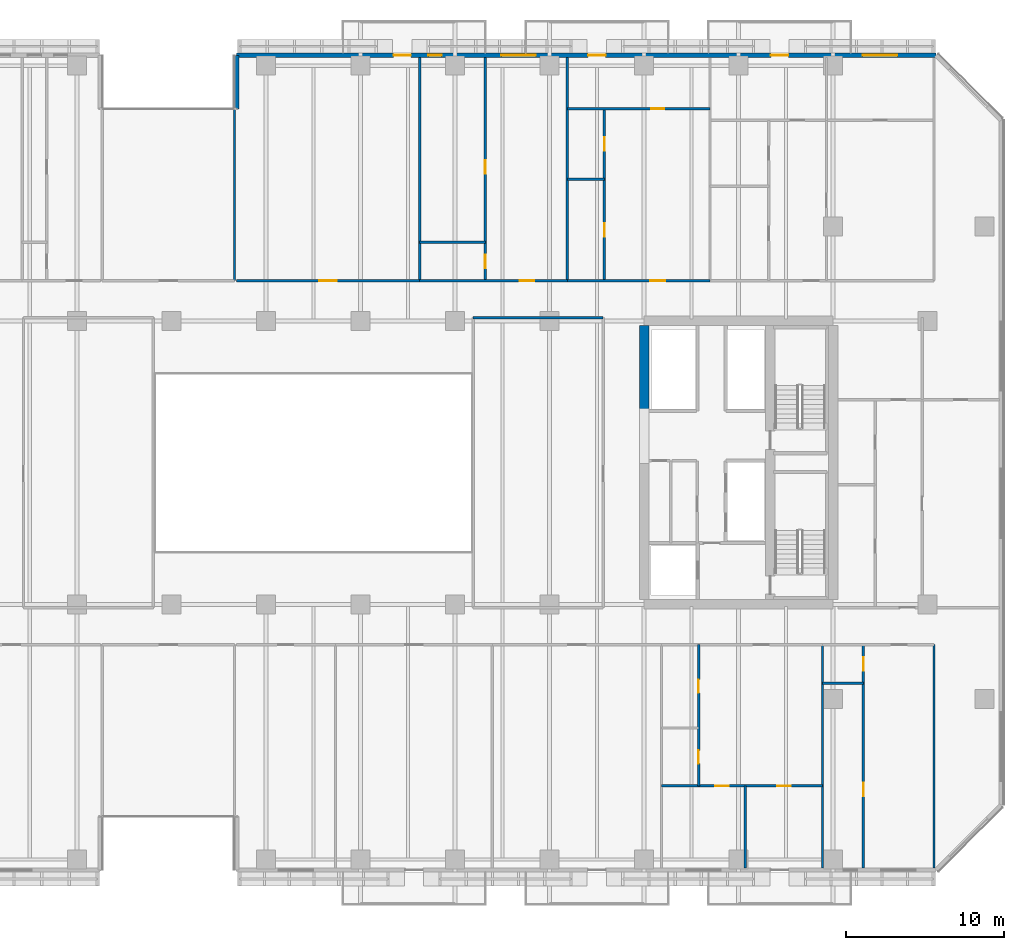
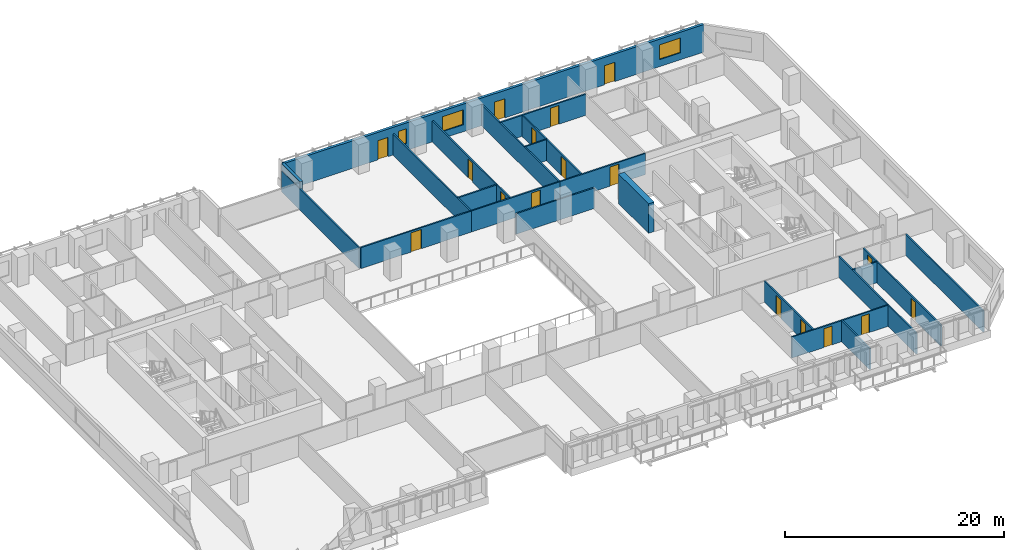
# One storey, part 13 of 25: 22 walls, 17 doors, 3 windows, 20 openings.
"""IFC4 building model written with IfcOpenShell, lengths in metres."""

import ifcopenshell
import ifcopenshell.guid

model = None  # the IFC model being written
_history = None  # IfcOwnerHistory: only IFC2X3 demands one
_inside = {}  # id of a spatial element -> (the spatial element, [elements in it])
_under = {}  # id of a project, library or spatial element -> (it, [spatial elements below it])
_declared = {}  # id of a project -> (the project, [libraries it declares])
_typed = {}  # id of a type object -> (the type object, [elements of that type])
_made_of = {}  # id of a material, layer set ... -> (it, [elements and type objects made of it])


def new_model(schema):
    """Start an empty IFC model of exactly this schema.

    Asked for "IFC4X3", IfcOpenShell would pick the latest addendum, in which some entities
    have other attributes; the version numbers below select the first issue.
    IFC2X3 requires an IfcOwnerHistory on every rooted entity: one is made here for all.
    """
    global model, _history
    if schema == "IFC4X3":
        model = ifcopenshell.file(schema_version=(4, 3, 0, 0))
    else:
        model = ifcopenshell.file(schema=schema)
    _inside.clear()
    _under.clear()
    _declared.clear()
    _typed.clear()
    _made_of.clear()
    _history = None
    if model.schema == "IFC2X3":
        org = make("IfcOrganization", Name="unknown")
        user = make(
            "IfcPersonAndOrganization",
            ThePerson=make("IfcPerson", FamilyName="unknown"),
            TheOrganization=org,
        )
        app = make(
            "IfcApplication",
            ApplicationDeveloper=org,
            Version="unknown",
            ApplicationFullName="unknown",
            ApplicationIdentifier="unknown",
        )
        _history = make(
            "IfcOwnerHistory",
            OwningUser=user,
            OwningApplication=app,
            ChangeAction="ADDED",
            CreationDate=0,
        )
    return model


def make(cls, **values):
    """One entity of the class cls with the attributes given. An attribute that is None is left unset."""
    return model.create_entity(
        cls, **{name: value for name, value in values.items() if value is not None}
    )


def rooted(cls, **values):
    """An entity with a GlobalId (a new one), such as an element, a storey or a relation."""
    return make(cls, GlobalId=ifcopenshell.guid.new(), OwnerHistory=_history, **values)


def si_unit(unit_type, name, prefix=None):
    """IfcSIUnit, for example si_unit("LENGTHUNIT", "METRE", prefix="MILLI")."""
    return make("IfcSIUnit", UnitType=unit_type, Prefix=prefix, Name=name)


def assignment(units):
    """IfcUnitAssignment: the units of a project."""
    return None if units is None else make("IfcUnitAssignment", Units=units)


def point(xyz):
    """IfcCartesianPoint."""
    return None if xyz is None else make("IfcCartesianPoint", Coordinates=xyz)


def direction(xyz):
    """IfcDirection."""
    return None if xyz is None else make("IfcDirection", DirectionRatios=xyz)


def frame(location, z_axis=None, x_axis=None):
    """IfcAxis2Placement3D, a coordinate frame: its origin and axes. An axis left out is left unset."""
    return make(
        "IfcAxis2Placement3D",
        Location=point(location),
        Axis=direction(z_axis),
        RefDirection=direction(x_axis),
    )


def frame_2d(location, x_axis=None):
    """IfcAxis2Placement2D, a coordinate frame in the plane: its origin and x axis."""
    return make(
        "IfcAxis2Placement2D", Location=point(location), RefDirection=direction(x_axis)
    )


def origin():
    """The frame at (0, 0, 0) with its axes left unset."""
    return frame((0.0, 0.0, 0.0))


def place(relative_to, where):
    """IfcLocalPlacement: puts the frame where relative to a parent placement (None: the world)."""
    return make(
        "IfcLocalPlacement", PlacementRelTo=relative_to, RelativePlacement=where
    )


def context(
    kind, dimensions, precision=None, world=None, true_north=None, identifier=None
):
    """IfcGeometricRepresentationContext, for example the 3D "Model" context."""
    return make(
        "IfcGeometricRepresentationContext",
        ContextIdentifier=identifier,
        ContextType=kind,
        CoordinateSpaceDimension=dimensions,
        Precision=precision,
        WorldCoordinateSystem=world,
        TrueNorth=true_north,
    )


def subcontext(parent, identifier, kind, view, scale=None):
    """IfcGeometricRepresentationSubContext, for example "Body" below "Model"."""
    return make(
        "IfcGeometricRepresentationSubContext",
        ContextIdentifier=identifier,
        ContextType=kind,
        ParentContext=parent,
        TargetScale=scale,
        TargetView=view,
    )


def project(units=None, contexts=None):
    """IfcProject with its units and contexts."""
    return rooted(
        "IfcProject",
        Name="project",
        RepresentationContexts=contexts,
        UnitsInContext=assignment(units),
    )


def spatial(cls, under=None, at=None, **own):
    """A site, building, storey or space (cls), placed at a placement, below another one or the project."""
    s = rooted(cls, ObjectPlacement=at, **own)
    if under is not None:
        _under.setdefault(under.id(), (under, []))[1].append(s)
    return s


def profile(cls, at=None, kind="AREA", **sizes):
    """A parametric profile (cls). Its sizes go by their IFC names, for example OverallWidth=200.0."""
    return make(cls, ProfileType=kind, Position=at, **sizes)


def rectangle(**sizes):
    """IfcRectangleProfileDef."""
    return profile("IfcRectangleProfileDef", **sizes)


def extrude(swept, where, along, depth):
    """IfcExtrudedAreaSolid: the profile swept, set in the frame where, extruded along a direction by depth."""
    return make(
        "IfcExtrudedAreaSolid",
        SweptArea=swept,
        Position=where,
        ExtrudedDirection=direction(along),
        Depth=depth,
    )


def shape(context_of_items, identifier, shape_type, items):
    """IfcShapeRepresentation: the items that make up one representation, for example the "Body"."""
    return make(
        "IfcShapeRepresentation",
        ContextOfItems=context_of_items,
        RepresentationIdentifier=identifier,
        RepresentationType=shape_type,
        Items=items,
    )


def material(Name=None, Category=None):
    """IfcMaterial."""
    return make("IfcMaterial", Name=Name, Category=Category)


def layer(
    of_material, thickness, ventilated=None, Name=None, Category=None, Priority=None
):
    """IfcMaterialLayer: one layer of a wall or slab, of a material (None: an air gap)."""
    return make(
        "IfcMaterialLayer",
        Material=of_material,
        LayerThickness=thickness,
        IsVentilated=ventilated,
        Name=Name,
        Category=Category,
        Priority=Priority,
    )


def layer_set(layers, Name=None):
    """IfcMaterialLayerSet."""
    return make("IfcMaterialLayerSet", MaterialLayers=layers, LayerSetName=Name)


def made_of(thing, what):
    """Note that an element or type object is made of a material, layer set ...; save() writes the relation."""
    if what is not None:
        _made_of.setdefault(what.id(), (what, []))[1].append(thing)
    return thing


def type_object(cls, material=None, **own):
    """A type object (cls), such as IfcWallType, which elements share."""
    return made_of(rooted(cls, **own), material)


def element(
    cls,
    number,
    at=None,
    inside=None,
    cuts=None,
    type_object=None,
    material=None,
    context=None,
    identifier="Body",
    shape_type=None,
    held_by="IfcProductDefinitionShape",
    body=None,
    shapes=None,
    **own,
):
    """One element of the class cls, such as IfcWall. Its Tag is "e" and its number.

    at: its placement. inside: the storey or other place that contains it. cuts: it is an
    opening in that element (IfcRelVoidsElement). A single representation is given by context,
    identifier, shape_type and body (its items); several are given by shapes. held_by: the class
    of the entity that holds the representations. save() writes the other relations.
    """
    e = rooted(cls, Tag="e%d" % number, ObjectPlacement=at, **own)
    if body is not None:
        shapes = [shape(context, identifier, shape_type, body)]
    if shapes is not None:
        e.Representation = make(held_by, Representations=shapes)
    if inside is not None:
        _inside.setdefault(inside.id(), (inside, []))[1].append(e)
    if cuts is not None:
        rooted(
            "IfcRelVoidsElement", RelatingBuildingElement=cuts, RelatedOpeningElement=e
        )
    if type_object is not None:
        _typed.setdefault(type_object.id(), (type_object, []))[1].append(e)
    return made_of(e, material)


def fill(opening, filler):
    """IfcRelFillsElement: the door or window that sits in an opening."""
    return rooted(
        "IfcRelFillsElement",
        RelatingOpeningElement=opening,
        RelatedBuildingElement=filler,
    )


def aggregate(whole, parts):
    """IfcRelAggregates: a whole, such as a stair, and the parts it consists of."""
    return rooted("IfcRelAggregates", RelatingObject=whole, RelatedObjects=parts)


def save(model, path):
    """Write the relations noted so far, then the file.

    IfcRelAggregates (storeys below a building ...), IfcRelContainedInSpatialStructure (elements
    in a storey), IfcRelDefinesByType, IfcRelAssociatesMaterial and IfcRelDeclares: one each for
    every whole, place, type object, material and project.
    """
    for whole, parts in _under.values():
        aggregate(whole, parts)
    for where, things in _inside.values():
        rooted(
            "IfcRelContainedInSpatialStructure",
            RelatedElements=things,
            RelatingStructure=where,
        )
    for kind, things in _typed.values():
        rooted("IfcRelDefinesByType", RelatedObjects=things, RelatingType=kind)
    for what, things in _made_of.values():
        rooted("IfcRelAssociatesMaterial", RelatedObjects=things, RelatingMaterial=what)
    for by, libraries in _declared.values():
        rooted("IfcRelDeclares", RelatingContext=by, RelatedDefinitions=libraries)
    model.write(path)


model = new_model("IFC4")

# Units and contexts
model_context = context("Model", 3, precision=1e-05, world=origin(), true_north=direction((0.0, 1.0)))
body_context = subcontext(model_context, "Body", "Model", "MODEL_VIEW")
ifc_project = project(units=[si_unit("LENGTHUNIT", "METRE"), si_unit("AREAUNIT", "SQUARE_METRE"), si_unit("VOLUMEUNIT", "CUBIC_METRE"), si_unit("PLANEANGLEUNIT", "RADIAN"), si_unit("MASSUNIT", "GRAM", prefix="KILO")], contexts=[model_context])

# Site, building, storey
site_placement = place(None, origin())
site = spatial("IfcSite", under=ifc_project, at=site_placement, CompositionType="ELEMENT")
building_placement = place(site_placement, origin())
building = spatial("IfcBuilding", under=site, at=building_placement, Name="Tanjung Sevakor Pilgrim Tower", CompositionType="ELEMENT")
storey_placement = place(building_placement, frame((0.0, 0.0, 42.239990234375)))
storey = spatial("IfcBuildingStorey", under=building, at=storey_placement, Name="L11", CompositionType="ELEMENT", Elevation=42.239990234375)

# Walls
ifc_material_1 = material(Name="Concrete C60/75", Category="concrete")
ifc_layer_1 = layer(ifc_material_1, 0.60009765625)
ifc_layer_set_1 = layer_set([ifc_layer_1], Name="WALL-CW-600")
wall_type_1 = type_object("IfcWallType", Name="WALL-CW-600", PredefinedType="SHEAR", material=ifc_layer_set_1)
wall_1_placement = place(storey_placement, frame((78.0, 36.800048828125, 0.0), z_axis=(0.0, 0.0, 1.0), x_axis=(0.0, 1.0, 0.0)))
element("IfcWall", 1, at=wall_1_placement, inside=storey, type_object=wall_type_1, Name="L11 E Core Inner Shear Wall North", PredefinedType="SHEAR", context=body_context, shape_type="SweptSolid", body=[
    extrude(rectangle(XDim=5.5, YDim=0.60009765625, at=frame_2d((2.75, 0.0))), origin(), (0.0, 0.0, 1.0), 3.300048828125),
])
ifc_material_2 = material(Name="Concrete C40/50", Category="concrete")
ifc_layer_2 = layer(ifc_material_2, 0.14990234375)
ifc_layer_set_2 = layer_set([ifc_layer_2], Name="WT-COMP-150")
wall_type_2 = type_object("IfcWallType", Name="WT-COMP-150", PredefinedType="SOLIDWALL", material=ifc_layer_set_2)
wall_2_placement = place(storey_placement, frame((67.14990234375, 42.800048828125, 0.0), z_axis=(0.0, 0.0, 1.0), x_axis=(1.0, 0.0, 0.0)))
element("IfcWall", 2, at=wall_2_placement, inside=storey, type_object=wall_type_2, Name="L11 Partition IW-L11-030", PredefinedType="SOLIDWALL", context=body_context, shape_type="SweptSolid", body=[
    extrude(rectangle(XDim=8.25, YDim=0.14990234375, at=frame_2d((4.125, 0.0))), origin(), (0.0, 0.0, 1.0), 2.295166015625),
])
for number, where, z_axis, x_axis, name in (
    (3, (52.0, 45.14990234375, 0.0), (0.0, 0.0, 1.0), (0.0, 1.0, 0.0), "L11 Partition IW-L11-045"),
    (4, (96.39990234375, 7.8798828125, 0.0), (0.0, 0.0, 1.0), (0.0, 1.0, 0.0), "L11 Partition IW-L11-050"),
    (5, (89.32568359375, 7.8798828125, 0.0), (0.0, 0.0, 1.0), (0.0, 1.0, 0.0), "L11 Partition IW-L11-057"),
    (6, (63.755615234375, 45.14990234375, 0.0), (0.0, 0.0, 1.0), (0.0, 1.0, 0.0), "L11 Partition IW-L11-081"),
):
    element("IfcWall", number, at=place(storey_placement, frame(where, z_axis=z_axis, x_axis=x_axis)), inside=storey, type_object=wall_type_2, Name=name, PredefinedType="SOLIDWALL", context=body_context, shape_type="SweptSolid", body=[
        extrude(rectangle(XDim=14.170166015625, YDim=0.14990234375, at=frame_2d((7.0849609375, 0.0))), origin(), (0.0, 0.0, 1.0), 2.35009765625),
    ])

# Wall, opening, door
wall_3_placement = place(storey_placement, frame((52.1201171875, 45.14990234375, 0.0), z_axis=(0.0, 0.0, 1.0), x_axis=(1.0, 0.0, 0.0)))
wall_3 = element("IfcWall", 7, at=wall_3_placement, inside=storey, type_object=wall_type_2, Name="L11 Partition IW-L11-082", PredefinedType="SOLIDWALL", context=body_context, shape_type="SweptSolid", body=[
    extrude(rectangle(XDim=11.635498046875, YDim=0.14990234375, at=frame_2d((5.81787109375, 0.0))), origin(), (0.0, 0.0, 1.0), 2.35009765625),
])
opening_1_placement = place(wall_3_placement, frame((5.267822265625, 0.0, 0.0)))
opening_1 = element("IfcOpeningElement", 8, at=opening_1_placement, cuts=wall_3, Name="Opening ID-FD0", PredefinedType="OPENING", context=body_context, shape_type="SweptSolid", body=[
    extrude(rectangle(XDim=1.10009765625, YDim=2.14990234375, at=frame_2d((0.550048828125, 1.074951171875))), frame((0.0, 0.0849609375, 0.0), z_axis=(0.0, -1.0, 0.0), x_axis=(1.0, 0.0, 0.0)), (0.0, 0.0, 1.0), 0.169921875),
])
ifc_material_3 = material(Name="Fire-Rated Steel S355J2", Category="steel")
door_type_1 = type_object("IfcDoorType", Name="DT-FIRE-1100", OperationType="NOTDEFINED", PredefinedType="DOOR", material=ifc_material_3)
door_1_placement = place(opening_1_placement, origin())
door_1 = element("IfcDoor", 9, at=door_1_placement, inside=storey, type_object=door_type_1, Name="Council Room Door", OperationType="SINGLE_SWING_RIGHT", OverallHeight=2.14990234375, OverallWidth=1.10009765625, PredefinedType="DOOR", context=body_context, shape_type="SweptSolid", body=[
    extrude(rectangle(XDim=1.10009765625, YDim=2.14990234375, at=frame_2d((0.550048828125, 1.074951171875))), frame((0.0, 0.02490234375, 0.0), z_axis=(0.0, -1.0, 0.0), x_axis=(1.0, 0.0, 0.0)), (0.0, 0.0, 1.0), 0.050048828125),
])
fill(opening_1, door_1)

# Wall
wall_4_placement = place(storey_placement, frame((73.128662109375, 45.14990234375, 0.0), z_axis=(0.0, 0.0, 1.0), x_axis=(0.0, 1.0, 0.0)))
element("IfcWall", 10, at=wall_4_placement, inside=storey, type_object=wall_type_2, Name="L11 Partition IW-L11-083", PredefinedType="SOLIDWALL", context=body_context, shape_type="SweptSolid", body=[
    extrude(rectangle(XDim=14.170166015625, YDim=0.14990234375, at=frame_2d((7.0849609375, 0.0))), origin(), (0.0, 0.0, 1.0), 2.35009765625),
])

# Wall, opening, door
wall_5_placement = place(storey_placement, frame((63.755615234375, 45.14990234375, 0.0), z_axis=(0.0, 0.0, 1.0), x_axis=(1.0, 0.0, 0.0)))
wall_5 = element("IfcWall", 11, at=wall_5_placement, inside=storey, type_object=wall_type_2, Name="L11 Partition IW-L11-086", PredefinedType="SOLIDWALL", context=body_context, shape_type="SweptSolid", body=[
    extrude(rectangle(XDim=9.373046875, YDim=0.14990234375, at=frame_2d((4.6865234375, 0.0))), origin(), (0.0, 0.0, 1.0), 2.35009765625),
])
opening_2_placement = place(wall_5_placement, frame((6.333740234375, 0.0, 0.0)))
opening_2 = element("IfcOpeningElement", 12, at=opening_2_placement, cuts=wall_5, Name="Opening ID-FD2", PredefinedType="OPENING", context=body_context, shape_type="SweptSolid", body=[
    extrude(rectangle(XDim=0.949951171875, YDim=2.14990234375, at=frame_2d((0.47509765625, 1.074951171875))), frame((0.0, 0.0849609375, 0.0), z_axis=(0.0, -1.0, 0.0), x_axis=(1.0, 0.0, 0.0)), (0.0, 0.0, 1.0), 0.169921875),
])
ifc_material_4 = material(Name="Fire-Rated Timber", Category="wood")
door_type_2 = type_object("IfcDoorType", Name="DT-FIRE-950", OperationType="NOTDEFINED", PredefinedType="DOOR", material=ifc_material_4)
door_2_placement = place(opening_2_placement, origin())
door_2 = element("IfcDoor", 13, at=door_2_placement, inside=storey, type_object=door_type_2, Name="Hostel Quad Entrance", OperationType="SINGLE_SWING_LEFT", OverallHeight=2.14990234375, OverallWidth=0.949951171875, PredefinedType="DOOR", context=body_context, shape_type="SweptSolid", body=[
    extrude(rectangle(XDim=0.949951171875, YDim=2.14990234375, at=frame_2d((0.47509765625, 1.074951171875))), frame((0.0, 0.02490234375, 0.0), z_axis=(0.0, -1.0, 0.0), x_axis=(1.0, 0.0, 0.0)), (0.0, 0.0, 1.0), 0.050048828125),
])
fill(opening_2, door_2)

wall_6_placement = place(storey_placement, frame((73.128662109375, 45.14990234375, 0.0), z_axis=(0.0, 0.0, 1.0), x_axis=(1.0, 0.0, 0.0)))
wall_6 = element("IfcWall", 14, at=wall_6_placement, inside=storey, type_object=wall_type_2, Name="L11 Partition IW-L11-091", PredefinedType="SOLIDWALL", context=body_context, shape_type="SweptSolid", body=[
    extrude(rectangle(XDim=9.050048828125, YDim=0.14990234375, at=frame_2d((4.52490234375, 0.0))), origin(), (0.0, 0.0, 1.0), 2.35009765625),
])
opening_3_placement = place(wall_6_placement, frame((5.264892578125, 0.0, 0.0)))
opening_3 = element("IfcOpeningElement", 15, at=opening_3_placement, cuts=wall_6, Name="Opening ID-FD2", PredefinedType="OPENING", context=body_context, shape_type="SweptSolid", body=[
    extrude(rectangle(XDim=0.949951171875, YDim=2.14990234375, at=frame_2d((0.47509765625, 1.074951171875))), frame((0.0, 0.0849609375, 0.0), z_axis=(0.0, -1.0, 0.0), x_axis=(1.0, 0.0, 0.0)), (0.0, 0.0, 1.0), 0.169921875),
])
door_3_placement = place(opening_3_placement, origin())
door_3 = element("IfcDoor", 16, at=door_3_placement, inside=storey, type_object=door_type_2, Name="Residence Entrance", OperationType="SINGLE_SWING_LEFT", OverallHeight=2.14990234375, OverallWidth=0.949951171875, PredefinedType="DOOR", context=body_context, shape_type="SweptSolid", body=[
    extrude(rectangle(XDim=0.949951171875, YDim=2.14990234375, at=frame_2d((0.47509765625, 1.074951171875))), frame((0.0, 0.02490234375, 0.0), z_axis=(0.0, -1.0, 0.0), x_axis=(1.0, 0.0, 0.0)), (0.0, 0.0, 1.0), 0.050048828125),
])
fill(opening_3, door_3)

# Wall, openings, doors, windows
ifc_material_5 = material(Name="Precast concrete C45/55", Category="concrete")
ifc_layer_3 = layer(ifc_material_5, 0.280029296875)
ifc_layer_set_3 = layer_set([ifc_layer_3], Name="WT-EW-STN2")
wall_type_3 = type_object("IfcWallType", Name="WT-EW-STN2", PredefinedType="SOLIDWALL", material=ifc_layer_set_3)
wall_7_placement = place(storey_placement, frame((96.5419921875, 59.4599609375, 0.0), z_axis=(0.0, 0.0, 1.0), x_axis=(-1.0, 0.0, 0.0)))
wall_7 = element("IfcWall", 17, at=wall_7_placement, inside=storey, type_object=wall_type_3, Name="L11 MAIN Exterior Wall 9", PredefinedType="SOLIDWALL", context=body_context, shape_type="SweptSolid", body=[
    extrude(rectangle(XDim=44.402099609375, YDim=0.280029296875, at=frame_2d((22.201171875, 0.0))), origin(), (0.0, 0.0, 1.0), 3.080078125),
])
opening_4_placement = place(wall_7_placement, frame((33.342041015625, 0.0, 0.0)))
opening_4 = element("IfcOpeningElement", 18, at=opening_4_placement, cuts=wall_7, Name="Opening ED-BAL-1100", PredefinedType="OPENING", context=body_context, shape_type="SweptSolid", body=[
    extrude(rectangle(XDim=1.10009765625, YDim=2.14990234375, at=frame_2d((0.550048828125, 1.074951171875))), frame((0.0, 0.14990234375, 0.0), z_axis=(0.0, -1.0, 0.0), x_axis=(1.0, 0.0, 0.0)), (0.0, 0.0, 1.0), 0.300048828125),
])
opening_5_placement = place(wall_7_placement, frame((20.991943359375, 0.0, 0.0)))
opening_5 = element("IfcOpeningElement", 19, at=opening_5_placement, cuts=wall_7, Name="Opening ED-BAL-1100", PredefinedType="OPENING", context=body_context, shape_type="SweptSolid", body=[
    extrude(rectangle(XDim=1.10009765625, YDim=2.14990234375, at=frame_2d((0.550048828125, 1.074951171875))), frame((0.0, 0.14990234375, 0.0), z_axis=(0.0, -1.0, 0.0), x_axis=(1.0, 0.0, 0.0)), (0.0, 0.0, 1.0), 0.300048828125),
])
opening_6_placement = place(wall_7_placement, frame((9.39208984375, 0.0, 0.0)))
opening_6 = element("IfcOpeningElement", 20, at=opening_6_placement, cuts=wall_7, Name="Opening ED-BAL-1100", PredefinedType="OPENING", context=body_context, shape_type="SweptSolid", body=[
    extrude(rectangle(XDim=1.10009765625, YDim=2.14990234375, at=frame_2d((0.550048828125, 1.074951171875))), frame((0.0, 0.14990234375, 0.0), z_axis=(0.0, -1.0, 0.0), x_axis=(1.0, 0.0, 0.0)), (0.0, 0.0, 1.0), 0.300048828125),
])
opening_7_placement = place(wall_7_placement, frame((31.38916015625, 0.0, 0.780029296875)))
opening_7 = element("IfcOpeningElement", 21, at=opening_7_placement, cuts=wall_7, Name="Opening WN-SLM", PredefinedType="OPENING", context=body_context, shape_type="SweptSolid", body=[
    extrude(rectangle(XDim=0.85009765625, YDim=1.64990234375, at=frame_2d((0.425048828125, 0.824951171875))), frame((0.0, 0.14990234375, 0.0), z_axis=(0.0, -1.0, 0.0), x_axis=(1.0, 0.0, 0.0)), (0.0, 0.0, 1.0), 0.300048828125),
])
opening_8_placement = place(wall_7_placement, frame((25.40771484375, 0.0, 0.780029296875)))
opening_8 = element("IfcOpeningElement", 22, at=opening_8_placement, cuts=wall_7, Name="Opening WN-Z1-1660", PredefinedType="OPENING", context=body_context, shape_type="SweptSolid", body=[
    extrude(rectangle(XDim=2.199951171875, YDim=1.659912109375, at=frame_2d((1.10009765625, 0.830078125))), frame((0.0, 0.14990234375, 0.0), z_axis=(0.0, -1.0, 0.0), x_axis=(1.0, 0.0, 0.0)), (0.0, 0.0, 1.0), 0.300048828125),
])
opening_9_placement = place(wall_7_placement, frame((2.465087890625, 0.0, 0.780029296875)))
opening_9 = element("IfcOpeningElement", 23, at=opening_9_placement, cuts=wall_7, Name="Opening WN-Z1-1660", PredefinedType="OPENING", context=body_context, shape_type="SweptSolid", body=[
    extrude(rectangle(XDim=2.199951171875, YDim=1.659912109375, at=frame_2d((1.10009765625, 0.830078125))), frame((0.0, 0.14990234375, 0.0), z_axis=(0.0, -1.0, 0.0), x_axis=(1.0, 0.0, 0.0)), (0.0, 0.0, 1.0), 0.300048828125),
])
ifc_material_6 = material(Name="Anodised Aluminium and Laminated Glass", Category="aluminium")
door_type_3 = type_object("IfcDoorType", Name="DTYP-ED-BAL-1100", OperationType="NOTDEFINED", PredefinedType="DOOR", material=ifc_material_6)
door_4_placement = place(opening_4_placement, frame((1.10009765625, 0.0, 0.0), z_axis=(0.0, 0.0, 1.0), x_axis=(-1.0, 0.0, 0.0)))
door_4 = element("IfcDoor", 24, at=door_4_placement, inside=storey, type_object=door_type_3, Name="L11 Balcony Door MAIN-N2", OperationType="SINGLE_SWING_RIGHT", OverallHeight=2.14990234375, OverallWidth=1.10009765625, PredefinedType="DOOR", context=body_context, shape_type="SweptSolid", body=[
    extrude(rectangle(XDim=1.10009765625, YDim=2.14990234375, at=frame_2d((0.550048828125, 1.074951171875))), frame((0.0, 0.02490234375, 0.0), z_axis=(0.0, -1.0, 0.0), x_axis=(1.0, 0.0, 0.0)), (0.0, 0.0, 1.0), 0.050048828125),
])
fill(opening_4, door_4)
door_5_placement = place(opening_5_placement, frame((1.10009765625, 0.0, 0.0), z_axis=(0.0, 0.0, 1.0), x_axis=(-1.0, 0.0, 0.0)))
door_5 = element("IfcDoor", 25, at=door_5_placement, inside=storey, type_object=door_type_3, Name="L11 Balcony Door MAIN-N3", OperationType="SINGLE_SWING_LEFT", OverallHeight=2.14990234375, OverallWidth=1.10009765625, PredefinedType="DOOR", context=body_context, shape_type="SweptSolid", body=[
    extrude(rectangle(XDim=1.10009765625, YDim=2.14990234375, at=frame_2d((0.550048828125, 1.074951171875))), frame((0.0, 0.02490234375, 0.0), z_axis=(0.0, -1.0, 0.0), x_axis=(1.0, 0.0, 0.0)), (0.0, 0.0, 1.0), 0.050048828125),
])
fill(opening_5, door_5)
door_6_placement = place(opening_6_placement, frame((1.10009765625, 0.0, 0.0), z_axis=(0.0, 0.0, 1.0), x_axis=(-1.0, 0.0, 0.0)))
door_6 = element("IfcDoor", 26, at=door_6_placement, inside=storey, type_object=door_type_3, Name="L11 Balcony Door MAIN-N4", OperationType="SINGLE_SWING_RIGHT", OverallHeight=2.14990234375, OverallWidth=1.10009765625, PredefinedType="DOOR", context=body_context, shape_type="SweptSolid", body=[
    extrude(rectangle(XDim=1.10009765625, YDim=2.14990234375, at=frame_2d((0.550048828125, 1.074951171875))), frame((0.0, 0.02490234375, 0.0), z_axis=(0.0, -1.0, 0.0), x_axis=(1.0, 0.0, 0.0)), (0.0, 0.0, 1.0), 0.050048828125),
])
fill(opening_6, door_6)
ifc_material_7 = material(Name="Thermally Broken Aluminium and Low-E Glass", Category="aluminium")
window_type_1 = type_object("IfcWindowType", Name="WTYP-WN-SLM", PartitioningType="SINGLE_PANEL", PredefinedType="WINDOW", material=ifc_material_7)
window_1_placement = place(opening_7_placement, origin())
window_1 = element("IfcWindow", 27, at=window_1_placement, inside=storey, type_object=window_type_1, Name="L11 Facade Window 01", OverallHeight=1.64990234375, OverallWidth=0.85009765625, PartitioningType="SINGLE_PANEL", PredefinedType="WINDOW", context=body_context, shape_type="SweptSolid", body=[
    extrude(rectangle(XDim=0.85009765625, YDim=1.64990234375, at=frame_2d((0.425048828125, 0.824951171875))), frame((0.0, 0.030029296875, 0.0), z_axis=(0.0, -1.0, 0.0), x_axis=(1.0, 0.0, 0.0)), (0.0, 0.0, 1.0), 0.06005859375),
])
fill(opening_7, window_1)
ifc_material_8 = material(Name="Thermally Broken Aluminium and Low-E Glass", Category="aluminium")
window_type_2 = type_object("IfcWindowType", Name="WTYP-WN-Z1-1660", PartitioningType="DOUBLE_PANEL_VERTICAL", PredefinedType="WINDOW", material=ifc_material_8)
window_2_placement = place(opening_8_placement, origin())
window_2 = element("IfcWindow", 28, at=window_2_placement, inside=storey, type_object=window_type_2, Name="L11 Facade Window 02", OverallHeight=1.659912109375, OverallWidth=2.199951171875, PartitioningType="SINGLE_PANEL", PredefinedType="WINDOW", context=body_context, shape_type="SweptSolid", body=[
    extrude(rectangle(XDim=2.199951171875, YDim=1.659912109375, at=frame_2d((1.10009765625, 0.830078125))), frame((0.0, 0.030029296875, 0.0), z_axis=(0.0, -1.0, 0.0), x_axis=(1.0, 0.0, 0.0)), (0.0, 0.0, 1.0), 0.06005859375),
])
fill(opening_8, window_2)
window_3_placement = place(opening_9_placement, origin())
window_3 = element("IfcWindow", 29, at=window_3_placement, inside=storey, type_object=window_type_2, Name="L11 Facade Window 03", OverallHeight=1.659912109375, OverallWidth=2.199951171875, PartitioningType="SINGLE_PANEL", PredefinedType="WINDOW", context=body_context, shape_type="SweptSolid", body=[
    extrude(rectangle(XDim=2.199951171875, YDim=1.659912109375, at=frame_2d((1.10009765625, 0.830078125))), frame((0.0, 0.030029296875, 0.0), z_axis=(0.0, -1.0, 0.0), x_axis=(1.0, 0.0, 0.0)), (0.0, 0.0, 1.0), 0.06005859375),
])
fill(opening_9, window_3)

# Wall
wall_8_placement = place(storey_placement, frame((52.139892578125, 59.4599609375, 0.0), z_axis=(0.0, 0.0, 1.0), x_axis=(0.0, -1.0, 0.0)))
element("IfcWall", 30, at=wall_8_placement, inside=storey, type_object=wall_type_3, Name="L11 MAIN Exterior Wall 10", PredefinedType="SOLIDWALL", context=body_context, shape_type="SweptSolid", body=[
    extrude(rectangle(XDim=3.39990234375, YDim=0.280029296875, at=frame_2d((1.699951171875, 0.0))), origin(), (0.0, 0.0, 1.0), 3.080078125),
])

# Wall, openings, doors
ifc_material_9 = material(Name="Gypsum Board Partition", Category="gypsum board")
ifc_layer_4 = layer(ifc_material_9, 0.14990234375)
ifc_layer_set_4 = layer_set([ifc_layer_4], Name="WT-PART-150")
wall_type_4 = type_object("IfcWallType", Name="WT-PART-150", PredefinedType="PARTITIONING", material=ifc_layer_set_4)
wall_9_placement = place(storey_placement, frame((81.457275390625, 13.080078125, 0.0), z_axis=(0.0, 0.0, 1.0), x_axis=(0.0, 1.0, 0.0)))
wall_9 = element("IfcWall", 31, at=wall_9_placement, inside=storey, type_object=wall_type_4, Name="L11 Partition IW-L11-059", PredefinedType="PARTITIONING", context=body_context, shape_type="SweptSolid", body=[
    extrude(rectangle(XDim=8.969970703125, YDim=0.14990234375, at=frame_2d((4.48486328125, 0.0))), origin(), (0.0, 0.0, 1.0), 2.35009765625),
])
opening_10_placement = place(wall_9_placement, frame((1.413818359375, 0.0, 0.0)))
opening_10 = element("IfcOpeningElement", 32, at=opening_10_placement, cuts=wall_9, Name="Opening ID-WC1", PredefinedType="OPENING", context=body_context, shape_type="SweptSolid", body=[
    extrude(rectangle(XDim=0.85009765625, YDim=2.10009765625, at=frame_2d((0.425048828125, 1.050048828125))), frame((0.0, 0.0849609375, 0.0), z_axis=(0.0, -1.0, 0.0), x_axis=(1.0, 0.0, 0.0)), (0.0, 0.0, 1.0), 0.169921875),
])
opening_11_placement = place(wall_9_placement, frame((5.89892578125, 0.0, 0.0)))
opening_11 = element("IfcOpeningElement", 33, at=opening_11_placement, cuts=wall_9, Name="Opening ID-WC1", PredefinedType="OPENING", context=body_context, shape_type="SweptSolid", body=[
    extrude(rectangle(XDim=0.85009765625, YDim=2.10009765625, at=frame_2d((0.425048828125, 1.050048828125))), frame((0.0, 0.0849609375, 0.0), z_axis=(0.0, -1.0, 0.0), x_axis=(1.0, 0.0, 0.0)), (0.0, 0.0, 1.0), 0.169921875),
])
ifc_material_10 = material(Name="Moisture-Resistant Timber", Category="wood")
door_type_4 = type_object("IfcDoorType", Name="DT-INT-850", OperationType="NOTDEFINED", PredefinedType="DOOR", material=ifc_material_10)
door_7_placement = place(opening_10_placement, origin())
door_7 = element("IfcDoor", 34, at=door_7_placement, inside=storey, type_object=door_type_4, Name="Suite Bathroom Door", OperationType="SINGLE_SWING_RIGHT", OverallHeight=2.10009765625, OverallWidth=0.85009765625, PredefinedType="DOOR", context=body_context, shape_type="SweptSolid", body=[
    extrude(rectangle(XDim=0.85009765625, YDim=2.10009765625, at=frame_2d((0.425048828125, 1.050048828125))), frame((0.0, 0.02490234375, 0.0), z_axis=(0.0, -1.0, 0.0), x_axis=(1.0, 0.0, 0.0)), (0.0, 0.0, 1.0), 0.050048828125),
])
fill(opening_10, door_7)
door_8_placement = place(opening_11_placement, origin())
door_8 = element("IfcDoor", 35, at=door_8_placement, inside=storey, type_object=door_type_4, Name="Suite Kitchenette Door", OperationType="SINGLE_SWING_LEFT", OverallHeight=2.10009765625, OverallWidth=0.85009765625, PredefinedType="DOOR", context=body_context, shape_type="SweptSolid", body=[
    extrude(rectangle(XDim=0.85009765625, YDim=2.10009765625, at=frame_2d((0.425048828125, 1.050048828125))), frame((0.0, 0.02490234375, 0.0), z_axis=(0.0, -1.0, 0.0), x_axis=(1.0, 0.0, 0.0)), (0.0, 0.0, 1.0), 0.050048828125),
])
fill(opening_11, door_8)

# Wall
wall_10_placement = place(storey_placement, frame((84.4208984375, 7.8798828125, 0.0), z_axis=(0.0, 0.0, 1.0), x_axis=(0.0, 1.0, 0.0)))
element("IfcWall", 36, at=wall_10_placement, inside=storey, type_object=wall_type_4, Name="L11 Partition IW-L11-060", PredefinedType="PARTITIONING", context=body_context, shape_type="SweptSolid", body=[
    extrude(rectangle(XDim=5.2001953125, YDim=0.14990234375, at=frame_2d((2.60009765625, 0.0))), origin(), (0.0, 0.0, 1.0), 2.35009765625),
])

# Wall, openings, doors
wall_11_placement = place(storey_placement, frame((79.107177734375, 13.080078125, 0.0), z_axis=(0.0, 0.0, 1.0), x_axis=(1.0, 0.0, 0.0)))
wall_11 = element("IfcWall", 37, at=wall_11_placement, inside=storey, type_object=wall_type_4, Name="L11 Partition IW-L11-061", PredefinedType="PARTITIONING", context=body_context, shape_type="SweptSolid", body=[
    extrude(rectangle(XDim=10.218505859375, YDim=0.14990234375, at=frame_2d((5.109375, 0.0))), origin(), (0.0, 0.0, 1.0), 2.35009765625),
])
opening_12_placement = place(wall_11_placement, frame((3.40673828125, 0.0, 0.0)))
opening_12 = element("IfcOpeningElement", 38, at=opening_12_placement, cuts=wall_11, Name="Opening ID-WC1", PredefinedType="OPENING", context=body_context, shape_type="SweptSolid", body=[
    extrude(rectangle(XDim=0.85009765625, YDim=2.10009765625, at=frame_2d((0.425048828125, 1.050048828125))), frame((0.0, 0.0849609375, 0.0), z_axis=(0.0, -1.0, 0.0), x_axis=(1.0, 0.0, 0.0)), (0.0, 0.0, 1.0), 0.169921875),
])
opening_13_placement = place(wall_11_placement, frame((7.341064453125, 0.0, 0.0)))
opening_13 = element("IfcOpeningElement", 39, at=opening_13_placement, cuts=wall_11, Name="Opening ID-WC1", PredefinedType="OPENING", context=body_context, shape_type="SweptSolid", body=[
    extrude(rectangle(XDim=0.85009765625, YDim=2.10009765625, at=frame_2d((0.425048828125, 1.050048828125))), frame((0.0, 0.0849609375, 0.0), z_axis=(0.0, -1.0, 0.0), x_axis=(1.0, 0.0, 0.0)), (0.0, 0.0, 1.0), 0.169921875),
])
door_9_placement = place(opening_12_placement, origin())
door_9 = element("IfcDoor", 40, at=door_9_placement, inside=storey, type_object=door_type_4, Name="Suite Bedroom 1 Door", OperationType="SINGLE_SWING_RIGHT", OverallHeight=2.10009765625, OverallWidth=0.85009765625, PredefinedType="DOOR", context=body_context, shape_type="SweptSolid", body=[
    extrude(rectangle(XDim=0.85009765625, YDim=2.10009765625, at=frame_2d((0.425048828125, 1.050048828125))), frame((0.0, 0.02490234375, 0.0), z_axis=(0.0, -1.0, 0.0), x_axis=(1.0, 0.0, 0.0)), (0.0, 0.0, 1.0), 0.050048828125),
])
fill(opening_12, door_9)
door_10_placement = place(opening_13_placement, origin())
door_10 = element("IfcDoor", 41, at=door_10_placement, inside=storey, type_object=door_type_4, Name="Suite Bedroom 2 Door", OperationType="SINGLE_SWING_LEFT", OverallHeight=2.10009765625, OverallWidth=0.85009765625, PredefinedType="DOOR", context=body_context, shape_type="SweptSolid", body=[
    extrude(rectangle(XDim=0.85009765625, YDim=2.10009765625, at=frame_2d((0.425048828125, 1.050048828125))), frame((0.0, 0.02490234375, 0.0), z_axis=(0.0, -1.0, 0.0), x_axis=(1.0, 0.0, 0.0)), (0.0, 0.0, 1.0), 0.050048828125),
])
fill(opening_13, door_10)

# Wall
wall_12_placement = place(storey_placement, frame((89.32568359375, 19.60009765625, 0.0), z_axis=(0.0, 0.0, 1.0), x_axis=(1.0, 0.0, 0.0)))
element("IfcWall", 42, at=wall_12_placement, inside=storey, type_object=wall_type_4, Name="L11 Partition IW-L11-063", PredefinedType="PARTITIONING", context=body_context, shape_type="SweptSolid", body=[
    extrude(rectangle(XDim=2.59423828125, YDim=0.14990234375, at=frame_2d((1.297119140625, 0.0))), origin(), (0.0, 0.0, 1.0), 2.35009765625),
])

# Wall, openings, doors
wall_13_placement = place(storey_placement, frame((91.919921875, 7.8798828125, 0.0), z_axis=(0.0, 0.0, 1.0), x_axis=(0.0, 1.0, 0.0)))
wall_13 = element("IfcWall", 43, at=wall_13_placement, inside=storey, type_object=wall_type_4, Name="L11 Partition IW-L11-064", PredefinedType="PARTITIONING", context=body_context, shape_type="SweptSolid", body=[
    extrude(rectangle(XDim=14.170166015625, YDim=0.14990234375, at=frame_2d((7.0849609375, 0.0))), origin(), (0.0, 0.0, 1.0), 2.35009765625),
])
opening_14_placement = place(wall_13_placement, frame((4.548095703125, 0.0, 0.0)))
opening_14 = element("IfcOpeningElement", 44, at=opening_14_placement, cuts=wall_13, Name="Opening ID-WC1", PredefinedType="OPENING", context=body_context, shape_type="SweptSolid", body=[
    extrude(rectangle(XDim=0.85009765625, YDim=2.10009765625, at=frame_2d((0.425048828125, 1.050048828125))), frame((0.0, 0.0849609375, 0.0), z_axis=(0.0, -1.0, 0.0), x_axis=(1.0, 0.0, 0.0)), (0.0, 0.0, 1.0), 0.169921875),
])
opening_15_placement = place(wall_13_placement, frame((12.52001953125, 0.0, 0.0)))
opening_15 = element("IfcOpeningElement", 45, at=opening_15_placement, cuts=wall_13, Name="Opening ID-WC1", PredefinedType="OPENING", context=body_context, shape_type="SweptSolid", body=[
    extrude(rectangle(XDim=0.85009765625, YDim=2.10009765625, at=frame_2d((0.425048828125, 1.050048828125))), frame((0.0, 0.0849609375, 0.0), z_axis=(0.0, -1.0, 0.0), x_axis=(1.0, 0.0, 0.0)), (0.0, 0.0, 1.0), 0.169921875),
])
door_11_placement = place(opening_14_placement, origin())
door_11 = element("IfcDoor", 46, at=door_11_placement, inside=storey, type_object=door_type_4, Name="Study Nook Door", OperationType="SINGLE_SWING_LEFT", OverallHeight=2.10009765625, OverallWidth=0.85009765625, PredefinedType="DOOR", context=body_context, shape_type="SweptSolid", body=[
    extrude(rectangle(XDim=0.85009765625, YDim=2.10009765625, at=frame_2d((0.425048828125, 1.050048828125))), frame((0.0, 0.02490234375, 0.0), z_axis=(0.0, -1.0, 0.0), x_axis=(1.0, 0.0, 0.0)), (0.0, 0.0, 1.0), 0.050048828125),
])
fill(opening_14, door_11)
door_12_placement = place(opening_15_placement, origin())
door_12 = element("IfcDoor", 47, at=door_12_placement, inside=storey, type_object=door_type_4, Name="Bathroom Door", OperationType="SINGLE_SWING_RIGHT", OverallHeight=2.10009765625, OverallWidth=0.85009765625, PredefinedType="DOOR", context=body_context, shape_type="SweptSolid", body=[
    extrude(rectangle(XDim=0.85009765625, YDim=2.10009765625, at=frame_2d((0.425048828125, 1.050048828125))), frame((0.0, 0.02490234375, 0.0), z_axis=(0.0, -1.0, 0.0), x_axis=(1.0, 0.0, 0.0)), (0.0, 0.0, 1.0), 0.050048828125),
])
fill(opening_15, door_12)

# Wall
wall_14_placement = place(storey_placement, frame((63.755615234375, 47.60009765625, 0.0), z_axis=(0.0, 0.0, 1.0), x_axis=(1.0, 0.0, 0.0)))
element("IfcWall", 48, at=wall_14_placement, inside=storey, type_object=wall_type_4, Name="L11 Partition IW-L11-084", PredefinedType="PARTITIONING", context=body_context, shape_type="SweptSolid", body=[
    extrude(rectangle(XDim=4.164306640625, YDim=0.14990234375, at=frame_2d((2.08203125, 0.0))), origin(), (0.0, 0.0, 1.0), 2.35009765625),
])

# Wall, openings, doors
wall_15_placement = place(storey_placement, frame((67.919921875, 45.14990234375, 0.0), z_axis=(0.0, 0.0, 1.0), x_axis=(0.0, 1.0, 0.0)))
wall_15 = element("IfcWall", 49, at=wall_15_placement, inside=storey, type_object=wall_type_4, Name="L11 Partition IW-L11-085", PredefinedType="PARTITIONING", context=body_context, shape_type="SweptSolid", body=[
    extrude(rectangle(XDim=14.170166015625, YDim=0.14990234375, at=frame_2d((7.0849609375, 0.0))), origin(), (0.0, 0.0, 1.0), 2.35009765625),
])
opening_16_placement = place(wall_15_placement, frame((0.800048828125, 0.0, 0.0)))
opening_16 = element("IfcOpeningElement", 50, at=opening_16_placement, cuts=wall_15, Name="Opening ID-WC1", PredefinedType="OPENING", context=body_context, shape_type="SweptSolid", body=[
    extrude(rectangle(XDim=0.85009765625, YDim=2.10009765625, at=frame_2d((0.425048828125, 1.050048828125))), frame((0.0, 0.0849609375, 0.0), z_axis=(0.0, -1.0, 0.0), x_axis=(1.0, 0.0, 0.0)), (0.0, 0.0, 1.0), 0.169921875),
])
opening_17_placement = place(wall_15_placement, frame((6.798095703125, 0.0, 0.0)))
opening_17 = element("IfcOpeningElement", 51, at=opening_17_placement, cuts=wall_15, Name="Opening ID-WC1", PredefinedType="OPENING", context=body_context, shape_type="SweptSolid", body=[
    extrude(rectangle(XDim=0.85009765625, YDim=2.10009765625, at=frame_2d((0.425048828125, 1.050048828125))), frame((0.0, 0.0849609375, 0.0), z_axis=(0.0, -1.0, 0.0), x_axis=(1.0, 0.0, 0.0)), (0.0, 0.0, 1.0), 0.169921875),
])
door_13_placement = place(opening_16_placement, origin())
door_13 = element("IfcDoor", 52, at=door_13_placement, inside=storey, type_object=door_type_4, Name="Bathroom Door", OperationType="SINGLE_SWING_LEFT", OverallHeight=2.10009765625, OverallWidth=0.85009765625, PredefinedType="DOOR", context=body_context, shape_type="SweptSolid", body=[
    extrude(rectangle(XDim=0.85009765625, YDim=2.10009765625, at=frame_2d((0.425048828125, 1.050048828125))), frame((0.0, 0.02490234375, 0.0), z_axis=(0.0, -1.0, 0.0), x_axis=(1.0, 0.0, 0.0)), (0.0, 0.0, 1.0), 0.050048828125),
])
fill(opening_16, door_13)
door_14_placement = place(opening_17_placement, origin())
door_14 = element("IfcDoor", 53, at=door_14_placement, inside=storey, type_object=door_type_4, Name="Study Nook Door", OperationType="SINGLE_SWING_RIGHT", OverallHeight=2.10009765625, OverallWidth=0.85009765625, PredefinedType="DOOR", context=body_context, shape_type="SweptSolid", body=[
    extrude(rectangle(XDim=0.85009765625, YDim=2.10009765625, at=frame_2d((0.425048828125, 1.050048828125))), frame((0.0, 0.02490234375, 0.0), z_axis=(0.0, -1.0, 0.0), x_axis=(1.0, 0.0, 0.0)), (0.0, 0.0, 1.0), 0.050048828125),
])
fill(opening_17, door_14)

# Wall
wall_16_placement = place(storey_placement, frame((73.128662109375, 51.587158203125, 0.0), z_axis=(0.0, 0.0, 1.0), x_axis=(1.0, 0.0, 0.0)))
element("IfcWall", 54, at=wall_16_placement, inside=storey, type_object=wall_type_4, Name="L11 Partition IW-L11-088", PredefinedType="PARTITIONING", context=body_context, shape_type="SweptSolid", body=[
    extrude(rectangle(XDim=2.35009765625, YDim=0.14990234375, at=frame_2d((1.175048828125, 0.0))), origin(), (0.0, 0.0, 1.0), 2.35009765625),
])

# Wall, openings, doors
wall_17_placement = place(storey_placement, frame((75.478759765625, 45.14990234375, 0.0), z_axis=(0.0, 0.0, 1.0), x_axis=(0.0, 1.0, 0.0)))
wall_17 = element("IfcWall", 55, at=wall_17_placement, inside=storey, type_object=wall_type_4, Name="L11 Partition IW-L11-089", PredefinedType="PARTITIONING", context=body_context, shape_type="SweptSolid", body=[
    extrude(rectangle(XDim=10.910400390625, YDim=0.14990234375, at=frame_2d((5.455078125, 0.0))), origin(), (0.0, 0.0, 1.0), 2.35009765625),
])
opening_18_placement = place(wall_17_placement, frame((2.793701171875, 0.0, 0.0)))
opening_18 = element("IfcOpeningElement", 56, at=opening_18_placement, cuts=wall_17, Name="Opening ID-WC1", PredefinedType="OPENING", context=body_context, shape_type="SweptSolid", body=[
    extrude(rectangle(XDim=0.85009765625, YDim=2.10009765625, at=frame_2d((0.425048828125, 1.050048828125))), frame((0.0, 0.0849609375, 0.0), z_axis=(0.0, -1.0, 0.0), x_axis=(1.0, 0.0, 0.0)), (0.0, 0.0, 1.0), 0.169921875),
])
opening_19_placement = place(wall_17_placement, frame((8.248779296875, 0.0, 0.0)))
opening_19 = element("IfcOpeningElement", 57, at=opening_19_placement, cuts=wall_17, Name="Opening ID-WC1", PredefinedType="OPENING", context=body_context, shape_type="SweptSolid", body=[
    extrude(rectangle(XDim=0.85009765625, YDim=2.10009765625, at=frame_2d((0.425048828125, 1.050048828125))), frame((0.0, 0.0849609375, 0.0), z_axis=(0.0, -1.0, 0.0), x_axis=(1.0, 0.0, 0.0)), (0.0, 0.0, 1.0), 0.169921875),
])
door_15_placement = place(opening_18_placement, origin())
door_15 = element("IfcDoor", 58, at=door_15_placement, inside=storey, type_object=door_type_4, Name="Residence Kitchenette Door", OperationType="SINGLE_SWING_RIGHT", OverallHeight=2.10009765625, OverallWidth=0.85009765625, PredefinedType="DOOR", context=body_context, shape_type="SweptSolid", body=[
    extrude(rectangle(XDim=0.85009765625, YDim=2.10009765625, at=frame_2d((0.425048828125, 1.050048828125))), frame((0.0, 0.02490234375, 0.0), z_axis=(0.0, -1.0, 0.0), x_axis=(1.0, 0.0, 0.0)), (0.0, 0.0, 1.0), 0.050048828125),
])
fill(opening_18, door_15)
door_16_placement = place(opening_19_placement, origin())
door_16 = element("IfcDoor", 59, at=door_16_placement, inside=storey, type_object=door_type_4, Name="Residence Bathroom Door", OperationType="SINGLE_SWING_LEFT", OverallHeight=2.10009765625, OverallWidth=0.85009765625, PredefinedType="DOOR", context=body_context, shape_type="SweptSolid", body=[
    extrude(rectangle(XDim=0.85009765625, YDim=2.10009765625, at=frame_2d((0.425048828125, 1.050048828125))), frame((0.0, 0.02490234375, 0.0), z_axis=(0.0, -1.0, 0.0), x_axis=(1.0, 0.0, 0.0)), (0.0, 0.0, 1.0), 0.050048828125),
])
fill(opening_19, door_16)

# Wall, opening, door
wall_18_placement = place(storey_placement, frame((73.128662109375, 56.060302734375, 0.0), z_axis=(0.0, 0.0, 1.0), x_axis=(1.0, 0.0, 0.0)))
wall_18 = element("IfcWall", 60, at=wall_18_placement, inside=storey, type_object=wall_type_4, Name="L11 Partition IW-L11-090", PredefinedType="PARTITIONING", context=body_context, shape_type="SweptSolid", body=[
    extrude(rectangle(XDim=9.050048828125, YDim=0.14990234375, at=frame_2d((4.52490234375, 0.0))), origin(), (0.0, 0.0, 1.0), 2.35009765625),
])
opening_20_placement = place(wall_18_placement, frame((5.31494140625, 0.0, 0.0)))
opening_20 = element("IfcOpeningElement", 61, at=opening_20_placement, cuts=wall_18, Name="Opening ID-WC1", PredefinedType="OPENING", context=body_context, shape_type="SweptSolid", body=[
    extrude(rectangle(XDim=0.85009765625, YDim=2.10009765625, at=frame_2d((0.425048828125, 1.050048828125))), frame((0.0, 0.0849609375, 0.0), z_axis=(0.0, -1.0, 0.0), x_axis=(1.0, 0.0, 0.0)), (0.0, 0.0, 1.0), 0.169921875),
])
door_17_placement = place(opening_20_placement, origin())
door_17 = element("IfcDoor", 62, at=door_17_placement, inside=storey, type_object=door_type_4, Name="Residence Bedroom Door", OperationType="SINGLE_SWING_RIGHT", OverallHeight=2.10009765625, OverallWidth=0.85009765625, PredefinedType="DOOR", context=body_context, shape_type="SweptSolid", body=[
    extrude(rectangle(XDim=0.85009765625, YDim=2.10009765625, at=frame_2d((0.425048828125, 1.050048828125))), frame((0.0, 0.02490234375, 0.0), z_axis=(0.0, -1.0, 0.0), x_axis=(1.0, 0.0, 0.0)), (0.0, 0.0, 1.0), 0.050048828125),
])
fill(opening_20, door_17)

save(model, "model.ifc")
